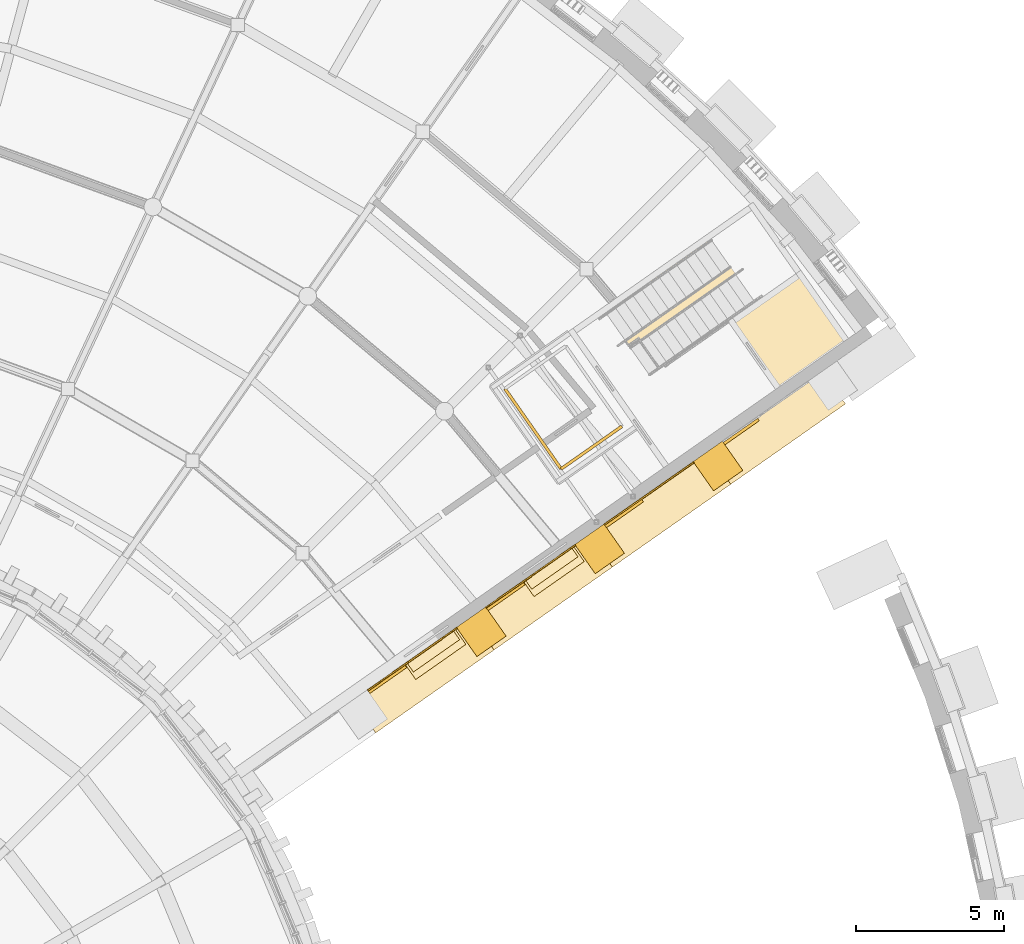
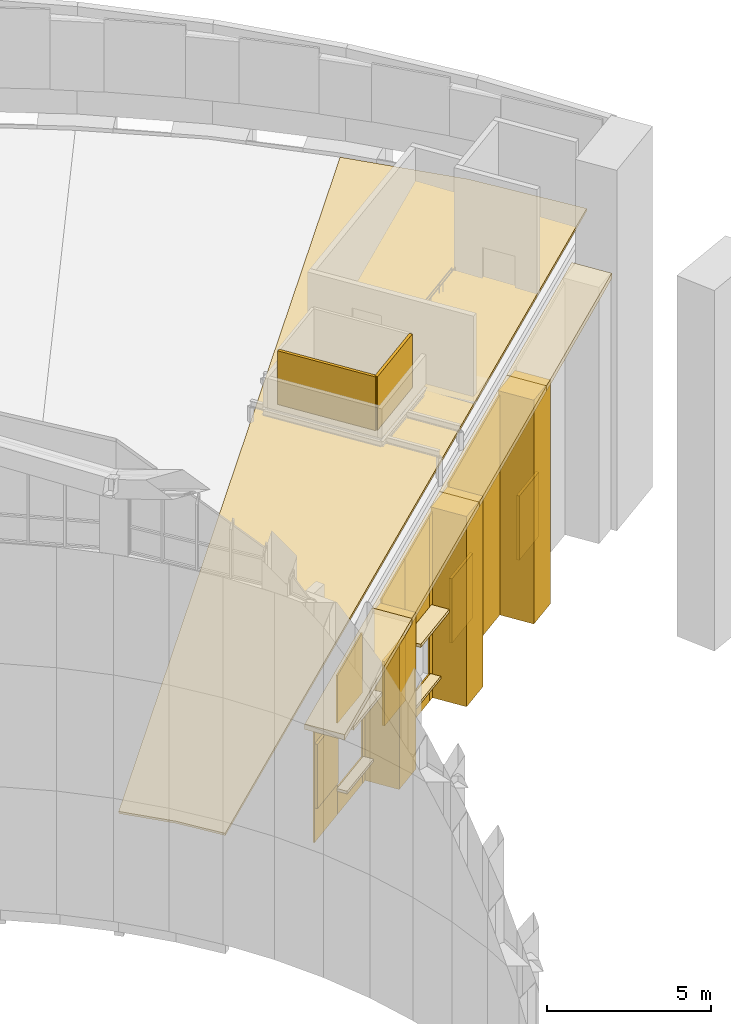
# One storey, part 72 of 82: 27 coverings.
"""IFC4 building model written with IfcOpenShell, lengths in metres."""

from ifc_helpers import new_model, si_unit, direction, frame, origin, origin_2d, place, context, subcontext, project, spatial, polyline, rectangle, outline, extrude, material, layer, layer_set, type_object, element, save


model = new_model("IFC4")

# Units and contexts
model_context = context("Model", 3, precision=1e-05, world=origin(), true_north=direction((0.0, 1.0)))
body_context = subcontext(model_context, "Body", "Model", "MODEL_VIEW")
ifc_project = project(units=[si_unit("LENGTHUNIT", "METRE"), si_unit("AREAUNIT", "SQUARE_METRE"), si_unit("VOLUMEUNIT", "CUBIC_METRE"), si_unit("PLANEANGLEUNIT", "RADIAN"), si_unit("MASSUNIT", "GRAM", prefix="KILO")], contexts=[model_context])

# Site, building, storey
site_placement = place(None, origin())
site = spatial("IfcSite", under=ifc_project, at=site_placement, CompositionType="ELEMENT")
building_placement = place(site_placement, origin())
building = spatial("IfcBuilding", under=site, at=building_placement, Name="Volute Hill Aquarium", CompositionType="ELEMENT")
storey_placement = place(building_placement, frame((0.0, 0.0, 13.800048828125)))
storey = spatial("IfcBuildingStorey", under=building, at=storey_placement, Name="L04", CompositionType="ELEMENT", Elevation=13.800048828125)

# Coverings
ifc_material_1 = material(Name="Aluminium", Category="aluminium")
ifc_layer_1 = layer(ifc_material_1, 0.10009765625)
ifc_layer_set_1 = layer_set([ifc_layer_1], Name="End wall plant louvre panel 100")
covering_type_1 = type_object("IfcCoveringType", Name="End wall plant louvre panel 100", PredefinedType="CLADDING", material=ifc_layer_set_1)
for number, where, z_axis, x_axis, name in (
    (1, (22.4892578125, 15.380859375, 1.300048828125), (0.0, 0.0, 1.0), (0.819150254575, 0.573578992319, 0.0), "End wall plant louvre EWV S5A L04 2"),
    (2, (26.47509765625, 18.171875, 1.300048828125), (0.0, 0.0, 1.0), (0.819150254575, 0.573578992319, 0.0), "End wall plant louvre EWV S5A L04 3"),
    (3, (30.461181640625, 20.962890625, 1.300048828125), (0.0, 0.0, 1.0), (0.819150254575, 0.573578992319, 0.0), "End wall plant louvre EWV S5A L04 4"),
):
    element("IfcCovering", number, at=place(storey_placement, frame(where, z_axis=z_axis, x_axis=x_axis)), inside=storey, type_object=covering_type_1, Name=name, PredefinedType="CLADDING", context=body_context, shape_type="SweptSolid", body=[
        extrude(rectangle(XDim=1.51611328125, YDim=0.10009765625, at=origin_2d()), origin(), (0.0, 0.0, 1.0), 2.39990234375),
    ])
covering_1_placement = place(storey_placement, frame((34.404052734375, 23.723876953125, 1.300048828125), z_axis=(0.0, 0.0, 1.0), x_axis=(0.819150254575, 0.573578992319, 0.0)))
element("IfcCovering", 4, at=covering_1_placement, inside=storey, type_object=covering_type_1, Name="End wall plant louvre EWV S5A L04 5", PredefinedType="CLADDING", context=body_context, shape_type="SweptSolid", body=[
    extrude(rectangle(XDim=1.4111328125, YDim=0.10009765625, at=origin_2d()), origin(), (0.0, 0.0, 1.0), 2.39990234375),
])
ifc_material_2 = material(Name="Precast concrete C40/50", Category="concrete")
covering_type_2 = type_object("IfcCoveringType", Name="End wall precast coping C40/50 1350x200", PredefinedType="CLADDING", material=ifc_material_2)
covering_2_placement = place(storey_placement, frame((22.09375, 13.577880859375, 4.597900390625), z_axis=(0.573590298157, -0.819142337973, 0.0), x_axis=(0.793343279937, 0.555524952606, 0.248994914027)))
element("IfcCovering", 5, at=covering_2_placement, inside=storey, type_object=covering_type_2, Name="End wall coping EWC S5A L04 2", PredefinedType="CLADDING", context=body_context, shape_type="SweptSolid", body=[
    extrude(outline(polyline([(0.0, 0.0), (5.024104879373388, 0.0), (5.073891704223914, 0.19365366819528318), (0.049786824850525664, 0.1936536681952833), (0.0, 0.0)])), origin(), (0.0, 0.0, -1.0), 1.35009765625),
])
for number, where, z_axis, x_axis, name in (
    (6, (26.07958984375, 16.368896484375, 5.848876953125), (0.573566724483, -0.819158844527, 0.0), (0.793361288091, 0.555503536808, 0.248985315133), "End wall coping EWC S5A L04 3"),
    (7, (30.065673828125, 19.159912109375, 7.099853515625), (0.573566724483, -0.819158844527, 0.0), (0.793361288091, 0.555503536808, 0.248985315133), "End wall coping EWC S5A L04 4"),
):
    element("IfcCovering", number, at=place(storey_placement, frame(where, z_axis=z_axis, x_axis=x_axis)), inside=storey, type_object=covering_type_2, Name=name, PredefinedType="CLADDING", context=body_context, shape_type="SweptSolid", body=[
        extrude(outline(polyline([(0.0, 0.0), (5.024298568895895, 0.0), (5.074083474436451, 0.19365416162454063), (0.04978490554055628, 0.19365416162454055), (0.0, 0.0)])), origin(), (0.0, 0.0, -1.0), 1.35009765625),
    ])
covering_3_placement = place(storey_placement, frame((34.0517578125, 21.950927734375, 8.350830078125), z_axis=(0.573597838637, -0.81913705783, 0.0), x_axis=(0.793339778926, 0.555533384977, 0.248987255397)))
element("IfcCovering", 8, at=covering_3_placement, inside=storey, type_object=covering_type_2, Name="End wall coping EWC S5A L04 5", PredefinedType="CLADDING", context=body_context, shape_type="SweptSolid", body=[
    extrude(outline(polyline([(0.0, 0.0), (4.869334945748995, 0.0), (4.919120239247534, 0.1936540618872995), (0.0497852934985396, 0.19365406188729958), (0.0, 0.0)])), origin(), (0.0, 0.0, -1.0), 1.35009765625),
])
ifc_material_3 = material(Name="Precast concrete C40/50", Category="concrete")
covering_type_3 = type_object("IfcCoveringType", Name="End wall precast fin C40/50 1200x1200", PredefinedType="CLADDING", material=ifc_material_3)
covering_4_placement = place(storey_placement, frame((25.6494140625, 16.9833984375, 0.0), z_axis=(0.0, 0.0, 1.0), x_axis=(0.819150254575, 0.573578992319, 0.0)))
element("IfcCovering", 9, at=covering_4_placement, inside=storey, type_object=covering_type_3, Name="End wall fin EWF S5A L04 3", PredefinedType="CLADDING", context=body_context, shape_type="SweptSolid", body=[
    extrude(rectangle(XDim=1.199951171875, YDim=1.199951171875, at=origin_2d()), origin(), (0.0, 0.0, 1.0), 5.848876953125),
])
covering_5_placement = place(storey_placement, frame((29.635498046875, 19.7744140625, 0.0), z_axis=(0.0, 0.0, 1.0), x_axis=(0.819150254575, 0.573578992319, 0.0)))
element("IfcCovering", 10, at=covering_5_placement, inside=storey, type_object=covering_type_3, Name="End wall fin EWF S5A L04 4", PredefinedType="CLADDING", context=body_context, shape_type="SweptSolid", body=[
    extrude(rectangle(XDim=1.199951171875, YDim=1.199951171875, at=origin_2d()), origin(), (0.0, 0.0, 1.0), 7.099853515625),
])
covering_6_placement = place(storey_placement, frame((33.621337890625, 22.5654296875, 0.0), z_axis=(0.0, 0.0, 1.0), x_axis=(0.819150254575, 0.573578992319, 0.0)))
element("IfcCovering", 11, at=covering_6_placement, inside=storey, type_object=covering_type_3, Name="End wall fin EWF S5A L04 5", PredefinedType="CLADDING", context=body_context, shape_type="SweptSolid", body=[
    extrude(rectangle(XDim=1.199951171875, YDim=1.199951171875, at=origin_2d()), origin(), (0.0, 0.0, 1.0), 8.350830078125),
])
ifc_material_4 = material(Name="Precast concrete C40/50", Category="concrete")
ifc_layer_2 = layer(ifc_material_4, 0.050048828125)
ifc_layer_set_2 = layer_set([ifc_layer_2], Name="End wall precast infill panel C40/50 50")
covering_type_4 = type_object("IfcCoveringType", Name="End wall precast infill panel C40/50 50", PredefinedType="CLADDING", material=ifc_layer_set_2)
covering_7_placement = place(storey_placement, frame((21.839599609375, 14.98681640625, 0.0), z_axis=(0.573659010364, -0.81909421914, 0.0), x_axis=(0.81909421914, 0.573659010364, 0.0)))
element("IfcCovering", 12, at=covering_7_placement, inside=storey, type_object=covering_type_4, Name="End wall panel EWP S5A L04 2", PredefinedType="CLADDING", context=body_context, shape_type="SweptSolid", body=[
    extrude(outline(polyline([(0.0, 0.0), (1.666164968399999, 0.0), (1.666164968399999, 5.180419921875001), (0.0, 4.752197265625001), (0.0, 0.0)])), origin(), (0.0, 0.0, -1.0), 0.050048828125),
])
covering_8_placement = place(storey_placement, frame((23.204345703125, 15.942626953125, 0.0), z_axis=(0.573553363558, -0.819168199548, 0.0), x_axis=(0.819168199548, 0.573553363558, 0.0)))
element("IfcCovering", 13, at=covering_8_placement, inside=storey, type_object=covering_type_4, Name="End wall panel EWP S5A L04 2", PredefinedType="CLADDING", context=body_context, shape_type="SweptSolid", body=[
    extrude(outline(polyline([(0.0, 0.0), (1.800130151308322, 0.0), (1.800130151308322, 1.0), (0.0, 1.0), (0.0, 0.0)])), origin(), (0.0, 0.0, -1.0), 0.050048828125),
])
covering_9_placement = place(storey_placement, frame((23.204345703125, 15.942626953125, 3.39990234375), z_axis=(0.573553363558, -0.819168199548, 0.0), x_axis=(0.819168199548, 0.573553363558, 0.0)))
element("IfcCovering", 14, at=covering_9_placement, inside=storey, type_object=covering_type_4, Name="End wall panel EWP S5A L04 2", PredefinedType="CLADDING", context=body_context, shape_type="SweptSolid", body=[
    extrude(outline(polyline([(0.0, 0.0), (1.800130151308322, 0.0), (1.800130151308322, 2.243408203125), (0.0, 1.780517578125), (0.0, 0.0)])), origin(), (0.0, 0.0, -1.0), 0.050048828125),
])
covering_10_placement = place(storey_placement, frame((24.678955078125, 16.97509765625, 0.0), z_axis=(0.573462344363, -0.819231920519, 0.0), x_axis=(0.819231920519, 0.573462344363, 0.0)))
element("IfcCovering", 15, at=covering_10_placement, inside=storey, type_object=covering_type_4, Name="End wall panel EWP S5A L04 2", PredefinedType="CLADDING", context=body_context, shape_type="SweptSolid", body=[
    extrude(outline(polyline([(0.0, 0.0), (0.19966777984720657, 0.0), (0.19966777984720657, 5.694580078125), (0.0, 5.643310546875), (0.0, 0.0)])), origin(), (0.0, 0.0, -1.0), 0.050048828125),
])
covering_11_placement = place(storey_placement, frame((25.825439453125, 17.77783203125, 0.0), z_axis=(0.573590165683, -0.819142430736, 0.0), x_axis=(0.819142430736, 0.573590165683, 0.0)))
element("IfcCovering", 16, at=covering_11_placement, inside=storey, type_object=covering_type_4, Name="End wall panel EWP S5A L04 3", PredefinedType="CLADDING", context=body_context, shape_type="SweptSolid", body=[
    extrude(outline(polyline([(0.0, 0.0), (1.6663649484601517, 0.0), (1.6663649484601517, 6.431396484375), (0.0, 6.003173828125), (0.0, 0.0)])), origin(), (0.0, 0.0, -1.0), 0.050048828125),
])
covering_12_placement = place(storey_placement, frame((27.1904296875, 18.733642578125, 0.0), z_axis=(0.573617089972, -0.819123576813, 0.0), x_axis=(0.819123576813, 0.573617089972, 0.0)))
element("IfcCovering", 17, at=covering_12_placement, inside=storey, type_object=covering_type_4, Name="End wall panel EWP S5A L04 3", PredefinedType="CLADDING", context=body_context, shape_type="SweptSolid", body=[
    extrude(outline(polyline([(0.0, 0.0), (1.799930164518913, 0.0), (1.799930164518913, 1.0), (0.0, 1.0), (0.0, 0.0)])), origin(), (0.0, 0.0, -1.0), 0.050048828125),
])
covering_13_placement = place(storey_placement, frame((27.1904296875, 18.733642578125, 3.39990234375), z_axis=(0.573617089972, -0.819123576813, 0.0), x_axis=(0.819123576813, 0.573617089972, 0.0)))
element("IfcCovering", 18, at=covering_13_placement, inside=storey, type_object=covering_type_4, Name="End wall panel EWP S5A L04 3", PredefinedType="CLADDING", context=body_context, shape_type="SweptSolid", body=[
    extrude(outline(polyline([(0.0, 0.0), (1.799930164518913, 0.0), (1.799930164518913, 3.494384765625), (0.0, 3.031494140625), (0.0, 0.0)])), origin(), (0.0, 0.0, -1.0), 0.050048828125),
])
covering_14_placement = place(storey_placement, frame((28.664794921875, 19.76611328125, 0.0), z_axis=(0.57288833976, -0.819633424262, 0.0), x_axis=(0.819633424262, 0.57288833976, 0.0)))
element("IfcCovering", 19, at=covering_14_placement, inside=storey, type_object=covering_type_4, Name="End wall panel EWP S5A L04 3", PredefinedType="CLADDING", context=body_context, shape_type="SweptSolid", body=[
    extrude(outline(polyline([(0.0, 0.0), (0.19986783667653069, 0.0), (0.19986783667653069, 6.945556640625), (0.0, 6.894287109375), (0.0, 0.0)])), origin(), (0.0, 0.0, -1.0), 0.050048828125),
])
covering_15_placement = place(storey_placement, frame((29.8115234375, 20.569091796875, 0.0), z_axis=(0.573551735759, -0.819169339275, 0.0), x_axis=(0.819169339275, 0.573551735759, 0.0)))
element("IfcCovering", 20, at=covering_15_placement, inside=storey, type_object=covering_type_4, Name="End wall panel EWP S5A L04 4", PredefinedType="CLADDING", context=body_context, shape_type="SweptSolid", body=[
    extrude(outline(polyline([(0.0, 0.0), (3.6658228567958964, 0.0), (3.6658228567958964, 8.196533203125002), (0.0, 7.254150390625002), (0.0, 0.0)])), origin(), (0.0, 0.0, -1.0), 0.050048828125),
])
ifc_material_5 = material(Name="Precast concrete C40/50", Category="concrete")
ifc_layer_3 = layer(ifc_material_5, 0.1201171875)
ifc_layer_set_3 = layer_set([ifc_layer_3], Name="End wall window head blade precast C40/50 600x120")
covering_type_5 = type_object("IfcCoveringType", Name="End wall window head blade precast C40/50 600x120", PredefinedType="CLADDING", material=ifc_layer_set_3)
for number, where, z_axis, x_axis, name in (
    (21, (24.11376953125, 16.213134765625, 3.39990234375), (0.0, 0.0, 1.0), (0.819150254575, 0.573578992319, 0.0), "End wall window head blade EWB S5A L04 2.1"),
    (22, (28.099609375, 19.004150390625, 3.39990234375), (0.0, 0.0, 1.0), (0.819150254575, 0.573578992319, 0.0), "End wall window head blade EWB S5A L04 3.1"),
):
    element("IfcCovering", number, at=place(storey_placement, frame(where, z_axis=z_axis, x_axis=x_axis)), inside=storey, type_object=covering_type_5, Name=name, PredefinedType="CLADDING", context=body_context, shape_type="SweptSolid", body=[
        extrude(rectangle(XDim=2.06005859375, YDim=0.60009765625, at=origin_2d()), origin(), (0.0, 0.0, 1.0), 0.1201171875),
    ])
ifc_material_6 = material(Name="Precast concrete C40/50", Category="concrete")
ifc_layer_4 = layer(ifc_material_6, 0.10009765625)
ifc_layer_set_4 = layer_set([ifc_layer_4], Name="End wall window sill precast C40/50 350x100")
covering_type_6 = type_object("IfcCoveringType", Name="End wall window sill precast C40/50 350x100", PredefinedType="CLADDING", material=ifc_layer_set_4)
for number, where, z_axis, x_axis, name in (
    (23, (24.0419921875, 16.3154296875, 0.89990234375), (0.0, 0.0, 1.0), (0.819150254575, 0.573578992319, 0.0), "End wall window sill EWS S5A L04 2.1"),
    (24, (28.02783203125, 19.1064453125, 0.89990234375), (0.0, 0.0, 1.0), (0.819150254575, 0.573578992319, 0.0), "End wall window sill EWS S5A L04 3.1"),
):
    element("IfcCovering", number, at=place(storey_placement, frame(where, z_axis=z_axis, x_axis=x_axis)), inside=storey, type_object=covering_type_6, Name=name, PredefinedType="CLADDING", context=body_context, shape_type="SweptSolid", body=[
        extrude(rectangle(XDim=1.89990234375, YDim=0.35009765625, at=origin_2d()), origin(), (0.0, 0.0, 1.0), 0.10009765625),
    ])
ifc_material_7 = material(Name="Single-ply membrane with gravel ballast")
ifc_layer_5 = layer(ifc_material_7, 0.10009765625)
ifc_layer_set_5 = layer_set([ifc_layer_5], Name="Membrane roofing ballasted 100")
covering_type_7 = type_object("IfcCoveringType", Name="Membrane roofing ballasted 100", PredefinedType="ROOFING", material=ifc_layer_set_5)
covering_16_placement = place(storey_placement, frame((14.84912109375, 14.84912109375, 3.703125), z_axis=(-0.191425351335, -0.160608892314, 0.968277397534), x_axis=(0.675615638048, -0.737167544369, 0.011292526458)))
element("IfcCovering", 25, at=covering_16_placement, inside=storey, type_object=covering_type_7, Name="Membrane roof RF S5 1", PredefinedType="ROOFING", context=body_context, shape_type="SweptSolid", body=[
    extrude(outline(polyline([(0.0, 0.0), (1.832114747339411, 1.93421667571414e-16), (3.457464498199386, -0.1470501803187096), (6.948728286955289, 26.626056724725135), (3.051325863287494, 26.978738263801354), (-1.0622234551799103, 26.97924085453165), (0.0, 0.0)])), origin(), (0.0, 0.0, -1.0), 0.10009765625),
])
ifc_material_8 = material(Name="Aluminium", Category="aluminium")
ifc_layer_6 = layer(ifc_material_8, 0.10009765625)
ifc_layer_set_6 = layer_set([ifc_layer_6], Name="Plant screen louvre panel 2000x100")
covering_type_8 = type_object("IfcCoveringType", Name="Plant screen louvre panel 2000x100", PredefinedType="CLADDING", material=ifc_layer_set_6)
covering_17_placement = place(storey_placement, frame((29.362060546875, 23.184326171875, 8.599853515625), z_axis=(0.0, 0.0, 1.0), x_axis=(0.819145293201, 0.573586077783, 0.0)))
element("IfcCovering", 26, at=covering_17_placement, inside=storey, type_object=covering_type_8, Name="Plant screen louvre panel LVS 1", PredefinedType="CLADDING", context=body_context, shape_type="SweptSolid", body=[
    extrude(rectangle(XDim=2.5, YDim=0.10009765625, at=origin_2d()), origin(), (0.0, 0.0, 1.0), 2.0),
])
covering_18_placement = place(storey_placement, frame((27.391845703125, 23.81884765625, 8.599853515625), z_axis=(0.0, 0.0, 1.0), x_axis=(0.573576433048, -0.819152046601, 0.0)))
element("IfcCovering", 27, at=covering_18_placement, inside=storey, type_object=covering_type_8, Name="Plant screen louvre panel LVS 4", PredefinedType="CLADDING", context=body_context, shape_type="SweptSolid", body=[
    extrude(rectangle(XDim=3.300048828125, YDim=0.10009765625, at=origin_2d()), origin(), (0.0, 0.0, 1.0), 2.0),
])

save(model, "model.ifc")
